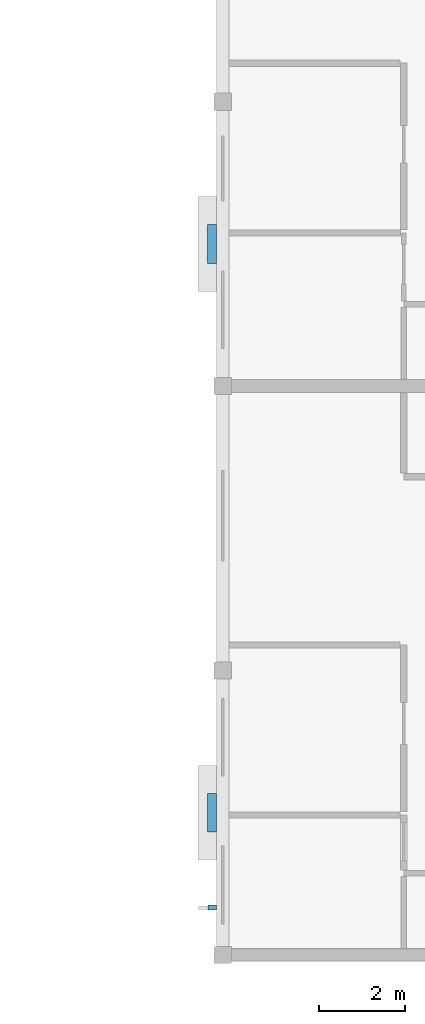
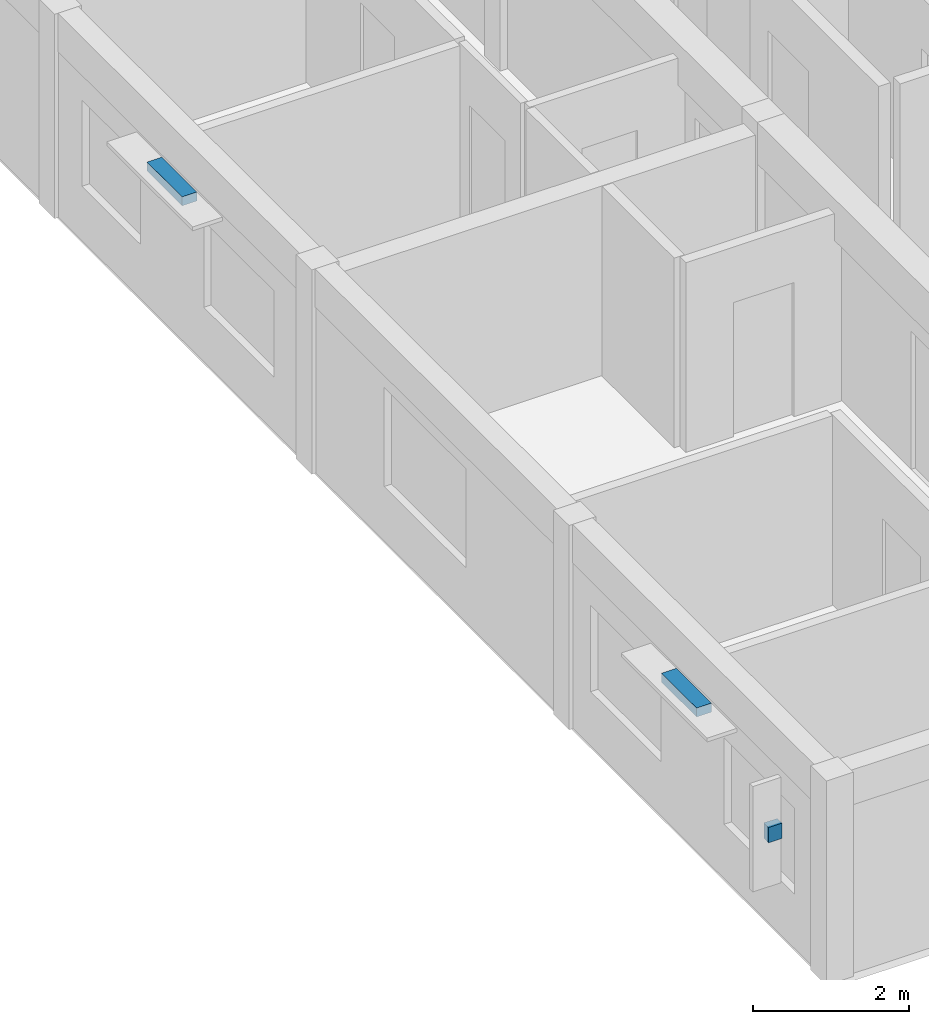
# One storey, part 42 of 49: 3 discrete accessories.
"""IFC4 building model written with IfcOpenShell, lengths in metres."""

from ifc_helpers import new_model, si_unit, direction, frame, origin, origin_2d, place, context, subcontext, project, spatial, rectangle, extrude, material, type_object, element, save


model = new_model("IFC4")

# Units and contexts
model_context = context("Model", 3, precision=1e-05, world=origin(), true_north=direction((0.0, 1.0)))
body_context = subcontext(model_context, "Body", "Model", "MODEL_VIEW")
ifc_project = project(units=[si_unit("LENGTHUNIT", "METRE"), si_unit("AREAUNIT", "SQUARE_METRE"), si_unit("VOLUMEUNIT", "CUBIC_METRE"), si_unit("PLANEANGLEUNIT", "RADIAN"), si_unit("MASSUNIT", "GRAM", prefix="KILO")], contexts=[model_context])

# Site, building, storey
site_placement = place(None, origin())
site = spatial("IfcSite", under=ifc_project, at=site_placement, CompositionType="ELEMENT")
building_placement = place(site_placement, origin())
building = spatial("IfcBuilding", under=site, at=building_placement, Name="Kernevlak Ridge Housing Community", CompositionType="ELEMENT")
storey_placement = place(building_placement, frame((0.0, 0.0, 30.800048828125)))
storey = spatial("IfcBuildingStorey", under=building, at=storey_placement, Name="L09", CompositionType="ELEMENT", Elevation=30.800048828125)

# Discrete accessories
ifc_material = material(Name="Steel S355 galvanised", Category="steel")
discrete_accessory_type = type_object("IfcDiscreteAccessoryType", Name="BK-01", PredefinedType="BRACKET", material=ifc_material)
discrete_accessory_1_placement = place(storey_placement, frame((125.75, 18.89990234375, 2.41015625), z_axis=(0.0, 0.0, 1.0), x_axis=(0.0, 1.0, 0.0)))
element("IfcDiscreteAccessory", 1, at=discrete_accessory_1_placement, inside=storey, type_object=discrete_accessory_type, Name="Sunshade steel bracket 35", PredefinedType="BRACKET", context=body_context, shape_type="SweptSolid", body=[
    extrude(rectangle(XDim=0.89990234375, YDim=0.219970703125, at=origin_2d()), origin(), (0.0, 0.0, 1.0), 0.139892578125),
])
discrete_accessory_2_placement = place(storey_placement, frame((125.760009765625, 16.699951171875, 1.52978515625), z_axis=(0.0, 0.0, 1.0), x_axis=(0.0, 1.0, 0.0)))
element("IfcDiscreteAccessory", 2, at=discrete_accessory_2_placement, inside=storey, type_object=discrete_accessory_type, Name="Vertical fin fixing bracket 35", PredefinedType="BRACKET", context=body_context, shape_type="SweptSolid", body=[
    extrude(rectangle(XDim=0.1201171875, YDim=0.199951171875, at=origin_2d()), origin(), (0.0, 0.0, 1.0), 0.239990234375),
])
discrete_accessory_3_placement = place(storey_placement, frame((125.75, 32.10009765625, 2.41015625), z_axis=(0.0, 0.0, 1.0), x_axis=(0.0, 1.0, 0.0)))
element("IfcDiscreteAccessory", 3, at=discrete_accessory_3_placement, inside=storey, type_object=discrete_accessory_type, Name="Sunshade steel bracket 36", PredefinedType="BRACKET", context=body_context, shape_type="SweptSolid", body=[
    extrude(rectangle(XDim=0.89990234375, YDim=0.219970703125, at=origin_2d()), origin(), (0.0, 0.0, 1.0), 0.139892578125),
])

save(model, "model.ifc")
